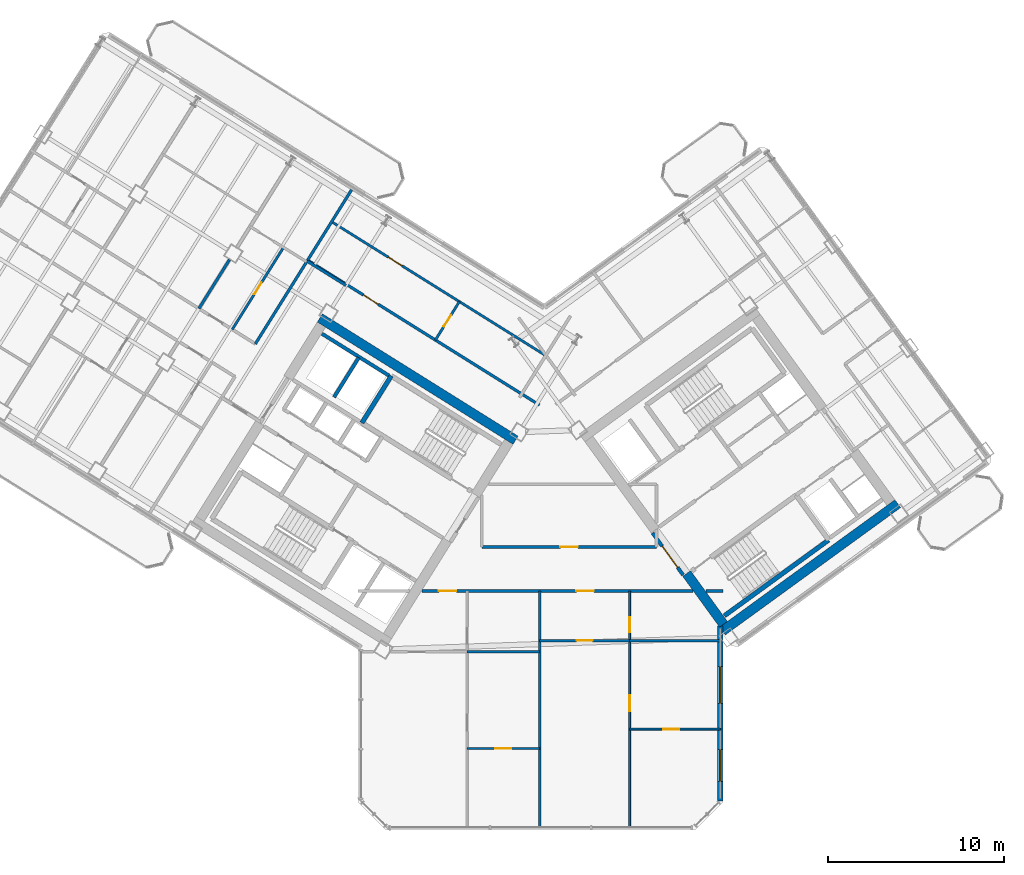
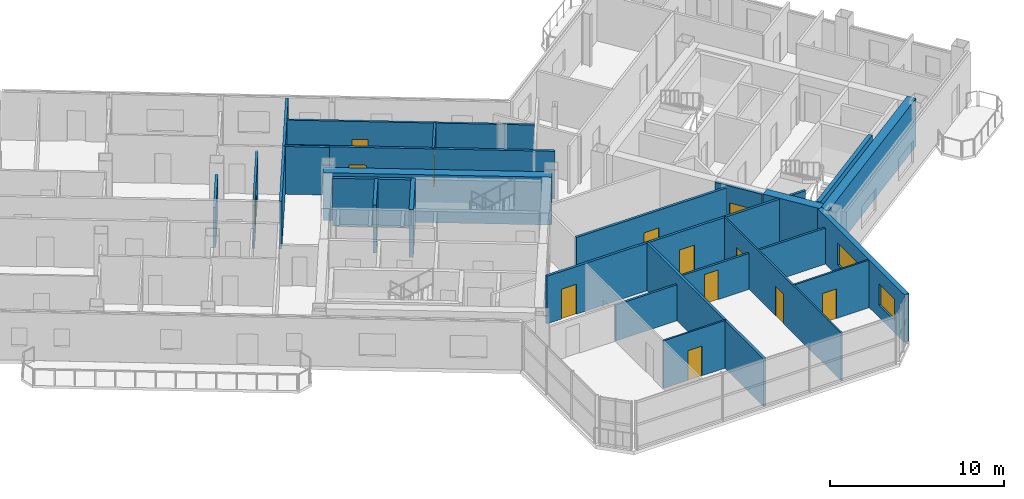
# One storey, part 13 of 21: 26 walls, 13 doors, 2 windows, 15 openings.
"""IFC4 building model written with IfcOpenShell, lengths in metres."""

from ifc_helpers import new_model, si_unit, direction, frame, frame_2d, origin, place, context, subcontext, project, spatial, rectangle, extrude, source, transform, mapped, material, layer, layer_set, type_object, element, fill, save


model = new_model("IFC4")

# Units and contexts
model_context = context("Model", 3, precision=1e-05, world=origin(), true_north=direction((0.0, 1.0)))
body_context = subcontext(model_context, "Body", "Model", "MODEL_VIEW")
ifc_project = project(units=[si_unit("LENGTHUNIT", "METRE"), si_unit("AREAUNIT", "SQUARE_METRE"), si_unit("VOLUMEUNIT", "CUBIC_METRE"), si_unit("PLANEANGLEUNIT", "RADIAN"), si_unit("MASSUNIT", "GRAM", prefix="KILO")], contexts=[model_context])

# Site, building, storey
site_placement = place(None, origin())
site = spatial("IfcSite", under=ifc_project, at=site_placement, CompositionType="ELEMENT")
building_placement = place(site_placement, origin())
building = spatial("IfcBuilding", under=site, at=building_placement, Name="Tlacorven Tower", CompositionType="ELEMENT")
storey_placement = place(building_placement, frame((0.0, 0.0, 184.199951171875)))
storey = spatial("IfcBuildingStorey", under=building, at=storey_placement, Name="L46", CompositionType="ELEMENT", Elevation=184.199951171875)

# Walls
ifc_material_1 = material(Name="Concrete C60/75", Category="concrete")
ifc_layer_1 = layer(ifc_material_1, 0.550048828125)
ifc_layer_set_1 = layer_set([ifc_layer_1], Name="Concrete C60/75")
wall_type_1 = type_object("IfcWallType", Name="WL-COR-550", PredefinedType="SHEAR", material=ifc_layer_set_1)
wall_1_placement = place(storey_placement, frame((40.572998046875, 24.010009765625, 0.0), z_axis=(0.0, 0.0, 1.0), x_axis=(-0.848047359947, 0.529920442413, 0.0)))
element("IfcWall", 1, at=wall_1_placement, inside=storey, type_object=wall_type_1, Name="L46 W core shear wall S1", PredefinedType="SHEAR", context=body_context, shape_type="SweptSolid", body=[
    extrude(rectangle(XDim=13.139892578125, YDim=0.550048828125, at=frame_2d((6.56982421875, 0.0))), origin(), (0.0, 0.0, 1.0), 3.35009765625),
])
wall_2_placement = place(storey_placement, frame((52.35888671875, 13.1396484375, 0.0), z_axis=(0.0, 0.0, 1.0), x_axis=(0.809014896919, 0.587788139183, 0.0)))
element("IfcWall", 2, at=wall_2_placement, inside=storey, type_object=wall_type_1, Name="L46 E core shear wall S1", PredefinedType="SHEAR", context=body_context, shape_type="SweptSolid", body=[
    extrude(rectangle(XDim=12.340087890625, YDim=0.550048828125, at=frame_2d((6.169921875, 0.0))), origin(), (0.0, 0.0, 1.0), 3.35009765625),
])
wall_3_placement = place(storey_placement, frame((52.419677734375, 13.52392578125, 0.0), z_axis=(0.0, 0.0, 1.0), x_axis=(-0.587802113096, 0.809004744015, 0.0)))
element("IfcWall", 3, at=wall_3_placement, inside=storey, type_object=wall_type_1, Name="L46 E core end wall E1.1", PredefinedType="SHEAR", context=body_context, shape_type="SweptSolid", body=[
    extrude(rectangle(XDim=3.574951171875, YDim=0.550048828125, at=frame_2d((1.78759765625, 0.0))), origin(), (0.0, 0.0, 1.0), 3.35009765625),
])
ifc_material_2 = material(Name="Gypsum plasterboard acoustic partition", Category="gypsum")
ifc_layer_2 = layer(ifc_material_2, 0.159912109375)
ifc_layer_set_2 = layer_set([ifc_layer_2], Name="Gypsum plasterboard acoustic partition")
wall_type_2 = type_object("IfcWallType", Name="WL-DEM-160", PredefinedType="PARTITIONING", material=ifc_layer_set_2)
wall_4_placement = place(storey_placement, frame((30.91357421875, 32.82861328125, 0.0), z_axis=(0.0, 0.0, 1.0), x_axis=(-0.848008813643, 0.529982124211, 0.0)))
element("IfcWall", 4, at=wall_4_placement, inside=storey, type_object=wall_type_2, Name="L46 partition 43", PredefinedType="PARTITIONING", context=body_context, shape_type="SweptSolid", body=[
    extrude(rectangle(XDim=2.610107421875, YDim=0.159912109375, at=frame_2d((1.30517578125, 0.0))), origin(), (0.0, 0.0, 1.0), 3.340087890625),
])
wall_5_placement = place(storey_placement, frame((31.238525390625, 38.27392578125, 0.0), z_axis=(0.0, 0.0, 1.0), x_axis=(-0.529914125013, -0.848051307476, 0.0)))
element("IfcWall", 5, at=wall_5_placement, inside=storey, type_object=wall_type_2, Name="L46 partition 45", PredefinedType="PARTITIONING", context=body_context, shape_type="SweptSolid", body=[
    extrude(rectangle(XDim=10.35009765625, YDim=0.159912109375, at=frame_2d((5.175048828125, 0.0))), origin(), (0.0, 0.0, 1.0), 3.340087890625),
])
wall_6_placement = place(storey_placement, frame((24.2822265625, 34.29345703125, 0.0), z_axis=(0.0, 0.0, 1.0), x_axis=(-0.529938869374, -0.84803584519, 0.0)))
element("IfcWall", 6, at=wall_6_placement, inside=storey, type_object=wall_type_2, Name="L46 WS Demising Wall 1", PredefinedType="PARTITIONING", context=body_context, shape_type="SweptSolid", body=[
    extrude(rectangle(XDim=3.2880859375, YDim=0.159912109375, at=frame_2d((1.64404296875, 0.0))), origin(), (0.0, 0.0, 1.0), 2.824951171875),
])

# Wall, opening, door
wall_7_placement = place(storey_placement, frame((41.93603515625, 26.011962890625, 0.0), z_axis=(0.0, 0.0, 1.0), x_axis=(-0.848051154596, 0.529914369676, 0.0)))
wall_7 = element("IfcWall", 7, at=wall_7_placement, inside=storey, type_object=wall_type_2, Name="L46 partition 66", PredefinedType="PARTITIONING", context=body_context, shape_type="SweptSolid", body=[
    extrude(rectangle(XDim=15.56982421875, YDim=0.159912109375, at=frame_2d((7.784912109375, 0.0))), origin(), (0.0, 0.0, 1.0), 3.340087890625),
])
opening_1_placement = place(wall_7_placement, frame((10.830078125, 0.0, 0.0)))
opening_1 = element("IfcOpeningElement", 8, at=opening_1_placement, cuts=wall_7, Name="Opening D11", PredefinedType="OPENING", context=body_context, shape_type="SweptSolid", body=[
    extrude(rectangle(XDim=1.0, YDim=2.10009765625, at=frame_2d((0.5, 1.050048828125))), frame((0.0, 0.08984375, 0.0), z_axis=(0.0, -1.0, 0.0), x_axis=(1.0, 0.0, 0.0)), (0.0, 0.0, 1.0), 0.179931640625),
])
ifc_material_3 = material(Name="Fire-rated steel door assembly", Category="steel")
door_type_1 = type_object("IfcDoorType", Name="DR-FLT-FD60-1000", OperationType="NOTDEFINED", PredefinedType="DOOR", material=ifc_material_3)
shared_shape_1 = source(origin(), body_context, "Body", "SweptSolid", [
    extrude(rectangle(XDim=1.0, YDim=2.10009765625, at=frame_2d((0.5, 1.050048828125))), frame((0.0, 0.02490234375, 0.0), z_axis=(0.0, -1.0, 0.0), x_axis=(1.0, 0.0, 0.0)), (0.0, 0.0, 1.0), 0.050048828125),
])
door_1_placement = place(opening_1_placement, origin())
door_1 = element("IfcDoor", 9, at=door_1_placement, inside=storey, type_object=door_type_1, Name="L46 door 040", OperationType="SINGLE_SWING_LEFT", OverallHeight=2.10009765625, OverallWidth=1.0, PredefinedType="DOOR", context=body_context, shape_type="MappedRepresentation", body=[
    mapped(shared_shape_1, transform((0.0, 0.0, 0.0), scale=1.0)),
])
fill(opening_1, door_1)

# Wall, openings, doors
wall_8_placement = place(storey_placement, frame((35.2373046875, 15.419921875, 0.0), z_axis=(0.0, 0.0, 1.0), x_axis=(1.0, 0.0, 0.0)))
wall_8 = element("IfcWall", 10, at=wall_8_placement, inside=storey, type_object=wall_type_2, Name="L46 Knuckle Corridor South Wall", PredefinedType="PARTITIONING", context=body_context, shape_type="SweptSolid", body=[
    extrude(rectangle(XDim=15.431640625, YDim=0.159912109375, at=frame_2d((7.7158203125, 0.0))), origin(), (0.0, 0.0, 1.0), 3.340087890625),
])
opening_2_placement = place(wall_8_placement, frame((0.968994140625, 0.0, 0.0)))
opening_2 = element("IfcOpeningElement", 11, at=opening_2_placement, cuts=wall_8, Name="Opening D11", PredefinedType="OPENING", context=body_context, shape_type="SweptSolid", body=[
    extrude(rectangle(XDim=1.0, YDim=2.10009765625, at=frame_2d((0.5, 1.050048828125))), frame((0.0, 0.08984375, 0.0), z_axis=(0.0, -1.0, 0.0), x_axis=(1.0, 0.0, 0.0)), (0.0, 0.0, 1.0), 0.179931640625),
])
opening_3_placement = place(wall_8_placement, frame((8.798583984375, 0.0, 0.0)))
opening_3 = element("IfcOpeningElement", 12, at=opening_3_placement, cuts=wall_8, Name="Opening D11", PredefinedType="OPENING", context=body_context, shape_type="SweptSolid", body=[
    extrude(rectangle(XDim=1.0, YDim=2.10009765625, at=frame_2d((0.5, 1.050048828125))), frame((0.0, 0.08984375, 0.0), z_axis=(0.0, -1.0, 0.0), x_axis=(1.0, 0.0, 0.0)), (0.0, 0.0, 1.0), 0.179931640625),
])
door_2_placement = place(opening_2_placement, frame((1.0, 0.0, 0.0), z_axis=(0.0, 0.0, 1.0), x_axis=(-1.0, 0.0, 0.0)))
door_2 = element("IfcDoor", 13, at=door_2_placement, inside=storey, type_object=door_type_1, Name="L46 door 048", OperationType="SINGLE_SWING_LEFT", OverallHeight=2.10009765625, OverallWidth=1.0, PredefinedType="DOOR", context=body_context, shape_type="MappedRepresentation", body=[
    mapped(shared_shape_1, transform((0.0, 0.0, 0.0), scale=1.0)),
])
fill(opening_2, door_2)
door_3_placement = place(opening_3_placement, frame((1.0, 0.0, 0.0), z_axis=(0.0, 0.0, 1.0), x_axis=(-1.0, 0.0, 0.0)))
door_3 = element("IfcDoor", 14, at=door_3_placement, inside=storey, type_object=door_type_1, Name="L46 door 053", OperationType="SINGLE_SWING_RIGHT", OverallHeight=2.10009765625, OverallWidth=1.0, PredefinedType="DOOR", context=body_context, shape_type="MappedRepresentation", body=[
    mapped(shared_shape_1, transform((0.0, 0.0, 0.0), scale=1.0)),
])
fill(opening_3, door_3)

# Wall
wall_9_placement = place(storey_placement, frame((51.41552734375, 15.419921875, 0.0), z_axis=(0.0, 0.0, 1.0), x_axis=(1.0, 0.0, 0.0)))
element("IfcWall", 15, at=wall_9_placement, inside=storey, type_object=wall_type_2, Name="L46 Knuckle Corridor South Wall", PredefinedType="PARTITIONING", context=body_context, shape_type="SweptSolid", body=[
    extrude(rectangle(XDim=0.984375, YDim=0.159912109375, at=frame_2d((0.4921875, 0.0))), origin(), (0.0, 0.0, 1.0), 3.340087890625),
])

# Wall, opening, door
wall_10_placement = place(storey_placement, frame((38.64990234375, 17.929931640625, 0.0), z_axis=(0.0, 0.0, 1.0), x_axis=(1.0, 0.0, 0.0)))
wall_10 = element("IfcWall", 16, at=wall_10_placement, inside=storey, type_object=wall_type_2, Name="L46 partition 72", PredefinedType="PARTITIONING", context=body_context, shape_type="SweptSolid", body=[
    extrude(rectangle(XDim=9.9501953125, YDim=0.159912109375, at=frame_2d((4.97509765625, 0.0))), origin(), (0.0, 0.0, 1.0), 3.340087890625),
])
opening_4_placement = place(wall_10_placement, frame((4.47509765625, 0.0, 0.0)))
opening_4 = element("IfcOpeningElement", 17, at=opening_4_placement, cuts=wall_10, Name="Opening D11", PredefinedType="OPENING", context=body_context, shape_type="SweptSolid", body=[
    extrude(rectangle(XDim=1.0, YDim=2.10009765625, at=frame_2d((0.5, 1.050048828125))), frame((0.0, 0.08984375, 0.0), z_axis=(0.0, -1.0, 0.0), x_axis=(1.0, 0.0, 0.0)), (0.0, 0.0, 1.0), 0.179931640625),
])
door_4_placement = place(opening_4_placement, origin())
door_4 = element("IfcDoor", 18, at=door_4_placement, inside=storey, type_object=door_type_1, Name="L46 door 043", OperationType="SINGLE_SWING_RIGHT", OverallHeight=2.10009765625, OverallWidth=1.0, PredefinedType="DOOR", context=body_context, shape_type="MappedRepresentation", body=[
    mapped(shared_shape_1, transform((0.0, 0.0, 0.0), scale=1.0)),
])
fill(opening_4, door_4)

# Wall
wall_11_placement = place(storey_placement, frame((41.949951171875, 1.9599609375, 0.0), z_axis=(0.0, 0.0, 1.0), x_axis=(0.0, 1.0, 0.0)))
element("IfcWall", 19, at=wall_11_placement, inside=storey, type_object=wall_type_2, Name="L46 Knuckle Demising Wall 1", PredefinedType="PARTITIONING", context=body_context, shape_type="SweptSolid", body=[
    extrude(rectangle(XDim=13.4599609375, YDim=0.159912109375, at=frame_2d((6.72998046875, 0.0))), origin(), (0.0, 0.0, 1.0), 3.340087890625),
])

# Wall, openings, windows
ifc_material_4 = material(Name="Precast concrete C45/55", Category="concrete")
ifc_layer_3 = layer(ifc_material_4, 0.320068359375)
ifc_layer_set_3 = layer_set([ifc_layer_3], Name="Precast concrete C45/55")
wall_type_3 = type_object("IfcWallType", Name="WL-EXT-320", PredefinedType="STANDARD", material=ifc_layer_set_3)
wall_12_placement = place(storey_placement, frame((52.239990234375, 13.4140625, 0.0), z_axis=(0.0, 0.0, 1.0), x_axis=(0.0, -1.0, 0.0)))
wall_12 = element("IfcWall", 20, at=wall_12_placement, inside=storey, type_object=wall_type_3, Name="L46 Masonry-Frame Recessed Facade Wall 7", PredefinedType="STANDARD", context=body_context, shape_type="SweptSolid", body=[
    extrude(rectangle(XDim=9.94775390625, YDim=0.320068359375, at=frame_2d((4.973876953125, 0.0))), origin(), (0.0, 0.0, 1.0), 3.35009765625),
])
opening_5_placement = place(wall_12_placement, frame((2.29638671875, 0.0, 0.800048828125)))
opening_5 = element("IfcOpeningElement", 21, at=opening_5_placement, cuts=wall_12, Name="Opening WN04", PredefinedType="OPENING", context=body_context, shape_type="SweptSolid", body=[
    extrude(rectangle(XDim=2.10009765625, YDim=1.550048828125, at=frame_2d((1.050048828125, 0.77490234375))), frame((0.0, 0.169921875, 0.0), z_axis=(0.0, -1.0, 0.0), x_axis=(1.0, 0.0, 0.0)), (0.0, 0.0, 1.0), 0.340087890625),
])
opening_6_placement = place(wall_12_placement, frame((7.033447265625, 0.0, 0.85009765625)))
opening_6 = element("IfcOpeningElement", 22, at=opening_6_placement, cuts=wall_12, Name="Opening WN01", PredefinedType="OPENING", context=body_context, shape_type="SweptSolid", body=[
    extrude(rectangle(XDim=1.800048828125, YDim=1.5, at=frame_2d((0.89990234375, 0.75))), frame((0.0, 0.169921875, 0.0), z_axis=(0.0, -1.0, 0.0), x_axis=(1.0, 0.0, 0.0)), (0.0, 0.0, 1.0), 0.340087890625),
])
ifc_material_5 = material(Name="Dark solar low-E double glazing in anodised aluminium frame", Category="aluminium")
window_type_1 = type_object("IfcWindowType", Name="WN-APT-2100X1750", PartitioningType="SINGLE_PANEL", PredefinedType="WINDOW", material=ifc_material_5)
shared_shape_2 = source(origin(), body_context, "Body", "SweptSolid", [
    extrude(rectangle(XDim=2.10009765625, YDim=1.550048828125, at=frame_2d((1.050048828125, 0.77490234375))), frame((0.0, 0.030029296875, 0.0), z_axis=(0.0, -1.0, 0.0), x_axis=(1.0, 0.0, 0.0)), (0.0, 0.0, 1.0), 0.06005859375),
])
window_1_placement = place(opening_5_placement, origin())
window_1 = element("IfcWindow", 23, at=window_1_placement, inside=storey, type_object=window_type_1, Name="L46 Recessed Masonry-Frame Window L46-07.1", OverallHeight=1.550048828125, OverallWidth=2.10009765625, PartitioningType="SINGLE_PANEL", PredefinedType="WINDOW", context=body_context, shape_type="MappedRepresentation", body=[
    mapped(shared_shape_2, transform((0.0, 0.0, 0.0), scale=1.0)),
])
fill(opening_5, window_1)
window_type_2 = type_object("IfcWindowType", Name="WN-APT-1800X1650", PartitioningType="SINGLE_PANEL", PredefinedType="WINDOW", material=ifc_material_5)
shared_shape_3 = source(origin(), body_context, "Body", "SweptSolid", [
    extrude(rectangle(XDim=1.800048828125, YDim=1.5, at=frame_2d((0.89990234375, 0.75))), frame((0.0, 0.030029296875, 0.0), z_axis=(0.0, -1.0, 0.0), x_axis=(1.0, 0.0, 0.0)), (0.0, 0.0, 1.0), 0.06005859375),
])
window_2_placement = place(opening_6_placement, origin())
window_2 = element("IfcWindow", 24, at=window_2_placement, inside=storey, type_object=window_type_2, Name="L46 Recessed Masonry-Frame Window L46-07.2", OverallHeight=1.5, OverallWidth=1.800048828125, PartitioningType="SINGLE_PANEL", PredefinedType="WINDOW", context=body_context, shape_type="MappedRepresentation", body=[
    mapped(shared_shape_3, transform((0.0, 0.0, 0.0), scale=1.0)),
])
fill(opening_6, window_2)

# Wall, opening, door
ifc_material_6 = material(Name="Gypsum plasterboard partition", Category="gypsum")
ifc_layer_4 = layer(ifc_material_6, 0.110107421875)
ifc_layer_set_4 = layer_set([ifc_layer_4], Name="Gypsum plasterboard partition")
wall_type_4 = type_object("IfcWallType", Name="WL-INT-110", PredefinedType="PARTITIONING", material=ifc_layer_set_4)
wall_13_placement = place(storey_placement, frame((37.81298828125, 6.449951171875, 0.0), z_axis=(0.0, 0.0, 1.0), x_axis=(1.0, 0.0, 0.0)))
wall_13 = element("IfcWall", 25, at=wall_13_placement, inside=storey, type_object=wall_type_4, Name="L46 partition 81", PredefinedType="PARTITIONING", context=body_context, shape_type="SweptSolid", body=[
    extrude(rectangle(XDim=4.136962890625, YDim=0.110107421875, at=frame_2d((2.068359375, 0.0))), origin(), (0.0, 0.0, 1.0), 3.340087890625),
])
opening_7_placement = place(wall_13_placement, frame((1.6083984375, 0.0, 0.0)))
opening_7 = element("IfcOpeningElement", 26, at=opening_7_placement, cuts=wall_13, Name="Opening D12", PredefinedType="OPENING", context=body_context, shape_type="SweptSolid", body=[
    extrude(rectangle(XDim=0.919921875, YDim=2.080078125, at=frame_2d((0.4599609375, 1.0400390625))), frame((0.0, 0.06494140625, 0.0), z_axis=(0.0, -1.0, 0.0), x_axis=(1.0, 0.0, 0.0)), (0.0, 0.0, 1.0), 0.130126953125),
])
ifc_material_7 = material(Name="Powder-coated aluminium and timber door", Category="wood")
door_type_2 = type_object("IfcDoorType", Name="DR-INT-ROOM-0920", OperationType="NOTDEFINED", PredefinedType="DOOR", material=ifc_material_7)
shared_shape_4 = source(origin(), body_context, "Body", "SweptSolid", [
    extrude(rectangle(XDim=0.919921875, YDim=2.080078125, at=frame_2d((0.4599609375, 1.0400390625))), frame((0.0, 0.02490234375, 0.0), z_axis=(0.0, -1.0, 0.0), x_axis=(1.0, 0.0, 0.0)), (0.0, 0.0, 1.0), 0.050048828125),
])
door_5_placement = place(opening_7_placement, origin())
door_5 = element("IfcDoor", 27, at=door_5_placement, inside=storey, type_object=door_type_2, Name="L46 door 047", OperationType="SINGLE_SWING_RIGHT", OverallHeight=2.080078125, OverallWidth=0.919921875, PredefinedType="DOOR", context=body_context, shape_type="MappedRepresentation", body=[
    mapped(shared_shape_4, transform((0.0, 0.0, 0.0), scale=1.0)),
])
fill(opening_7, door_5)

# Wall, openings, doors
wall_14_placement = place(storey_placement, frame((47.072021484375, 1.9599609375, 0.0), z_axis=(0.0, 0.0, 1.0), x_axis=(0.0, 1.0, 0.0)))
wall_14 = element("IfcWall", 28, at=wall_14_placement, inside=storey, type_object=wall_type_4, Name="L46 partition 82", PredefinedType="PARTITIONING", context=body_context, shape_type="SweptSolid", body=[
    extrude(rectangle(XDim=13.4599609375, YDim=0.110107421875, at=frame_2d((6.72998046875, 0.0))), origin(), (0.0, 0.0, 1.0), 3.340087890625),
])
opening_8_placement = place(wall_14_placement, frame((6.60009765625, 0.0, 0.0)))
opening_8 = element("IfcOpeningElement", 29, at=opening_8_placement, cuts=wall_14, Name="Opening D12", PredefinedType="OPENING", context=body_context, shape_type="SweptSolid", body=[
    extrude(rectangle(XDim=0.919921875, YDim=2.080078125, at=frame_2d((0.4599609375, 1.0400390625))), frame((0.0, 0.06494140625, 0.0), z_axis=(0.0, -1.0, 0.0), x_axis=(1.0, 0.0, 0.0)), (0.0, 0.0, 1.0), 0.130126953125),
])
opening_9_placement = place(wall_14_placement, frame((11.10009765625, 0.0, 0.0)))
opening_9 = element("IfcOpeningElement", 30, at=opening_9_placement, cuts=wall_14, Name="Opening D13", PredefinedType="OPENING", context=body_context, shape_type="SweptSolid", body=[
    extrude(rectangle(XDim=0.8798828125, YDim=2.080078125, at=frame_2d((0.43994140625, 1.0400390625))), frame((0.0, 0.06494140625, 0.0), z_axis=(0.0, -1.0, 0.0), x_axis=(1.0, 0.0, 0.0)), (0.0, 0.0, 1.0), 0.130126953125),
])
door_type_3 = type_object("IfcDoorType", Name="DR-INT-WET-0880", OperationType="NOTDEFINED", PredefinedType="DOOR", material=ifc_material_7)
shared_shape_5 = source(origin(), body_context, "Body", "SweptSolid", [
    extrude(rectangle(XDim=0.8798828125, YDim=2.080078125, at=frame_2d((0.43994140625, 1.0400390625))), frame((0.0, 0.02490234375, 0.0), z_axis=(0.0, -1.0, 0.0), x_axis=(1.0, 0.0, 0.0)), (0.0, 0.0, 1.0), 0.050048828125),
])
door_6_placement = place(opening_9_placement, origin())
door_6 = element("IfcDoor", 31, at=door_6_placement, inside=storey, type_object=door_type_3, Name="L46 door 055", OperationType="SINGLE_SWING_RIGHT", OverallHeight=2.080078125, OverallWidth=0.8798828125, PredefinedType="DOOR", context=body_context, shape_type="MappedRepresentation", body=[
    mapped(shared_shape_5, transform((0.0, 0.0, 0.0), scale=1.0)),
])
fill(opening_9, door_6)
door_7_placement = place(opening_8_placement, origin())
door_7 = element("IfcDoor", 32, at=door_7_placement, inside=storey, type_object=door_type_2, Name="L46 door 051", OperationType="SINGLE_SWING_RIGHT", OverallHeight=2.080078125, OverallWidth=0.919921875, PredefinedType="DOOR", context=body_context, shape_type="MappedRepresentation", body=[
    mapped(shared_shape_4, transform((0.0, 0.0, 0.0), scale=1.0)),
])
fill(opening_8, door_7)

# Wall, opening, door
wall_15_placement = place(storey_placement, frame((47.072021484375, 7.550048828125, 0.0), z_axis=(0.0, 0.0, 1.0), x_axis=(1.0, 0.0, 0.0)))
wall_15 = element("IfcWall", 33, at=wall_15_placement, inside=storey, type_object=wall_type_4, Name="L46 partition 85", PredefinedType="PARTITIONING", context=body_context, shape_type="SweptSolid", body=[
    extrude(rectangle(XDim=5.18798828125, YDim=0.110107421875, at=frame_2d((2.593994140625, 0.0))), origin(), (0.0, 0.0, 1.0), 3.340087890625),
])
opening_10_placement = place(wall_15_placement, frame((1.904052734375, 0.0, 0.0)))
opening_10 = element("IfcOpeningElement", 34, at=opening_10_placement, cuts=wall_15, Name="Opening D12", PredefinedType="OPENING", context=body_context, shape_type="SweptSolid", body=[
    extrude(rectangle(XDim=0.919921875, YDim=2.080078125, at=frame_2d((0.4599609375, 1.0400390625))), frame((0.0, 0.06494140625, 0.0), z_axis=(0.0, -1.0, 0.0), x_axis=(1.0, 0.0, 0.0)), (0.0, 0.0, 1.0), 0.130126953125),
])
door_8_placement = place(opening_10_placement, origin())
door_8 = element("IfcDoor", 35, at=door_8_placement, inside=storey, type_object=door_type_2, Name="L46 door 052", OperationType="SINGLE_SWING_LEFT", OverallHeight=2.080078125, OverallWidth=0.919921875, PredefinedType="DOOR", context=body_context, shape_type="MappedRepresentation", body=[
    mapped(shared_shape_4, transform((0.0, 0.0, 0.0), scale=1.0)),
])
fill(opening_10, door_8)

ifc_material_8 = material(Name="Moisture-resistant gypsum plumbing wall", Category="gypsum")
ifc_layer_5 = layer(ifc_material_8, 0.139892578125)
ifc_layer_set_5 = layer_set([ifc_layer_5], Name="Moisture-resistant gypsum plumbing wall")
wall_type_5 = type_object("IfcWallType", Name="WL-PLM-140", PredefinedType="PLUMBINGWALL", material=ifc_layer_set_5)
wall_16_placement = place(storey_placement, frame((27.359130859375, 34.99072265625, 0.0), z_axis=(0.0, 0.0, 1.0), x_axis=(-0.529907329021, -0.848055553988, 0.0)))
wall_16 = element("IfcWall", 36, at=wall_16_placement, inside=storey, type_object=wall_type_5, Name="L46 partition 60", PredefinedType="PLUMBINGWALL", context=body_context, shape_type="SweptSolid", body=[
    extrude(rectangle(XDim=5.509765625, YDim=0.139892578125, at=frame_2d((2.7548828125, 0.0))), origin(), (0.0, 0.0, 1.0), 2.9951171875),
])
opening_11_placement = place(wall_16_placement, frame((2.364990234375, 0.0, 0.0)))
opening_11 = element("IfcOpeningElement", 37, at=opening_11_placement, cuts=wall_16, Name="Opening D22", PredefinedType="OPENING", context=body_context, shape_type="SweptSolid", body=[
    extrude(rectangle(XDim=0.780029296875, YDim=2.050048828125, at=frame_2d((0.39013671875, 1.02490234375))), frame((0.0, 0.080078125, 0.0), z_axis=(0.0, -1.0, 0.0), x_axis=(1.0, 0.0, 0.0)), (0.0, 0.0, 1.0), 0.159912109375),
])
door_type_4 = type_object("IfcDoorType", Name="DR-INT-WET-0780", OperationType="NOTDEFINED", PredefinedType="DOOR", material=ifc_material_7)
shared_shape_6 = source(origin(), body_context, "Body", "SweptSolid", [
    extrude(rectangle(XDim=0.780029296875, YDim=2.050048828125, at=frame_2d((0.39013671875, 1.02490234375))), frame((0.0, 0.02490234375, 0.0), z_axis=(0.0, -1.0, 0.0), x_axis=(1.0, 0.0, 0.0)), (0.0, 0.0, 1.0), 0.050048828125),
])
door_9_placement = place(opening_11_placement, origin())
door_9 = element("IfcDoor", 38, at=door_9_placement, inside=storey, type_object=door_type_4, Name="L46 door 033", OperationType="SINGLE_SWING_RIGHT", OverallHeight=2.050048828125, OverallWidth=0.780029296875, PredefinedType="DOOR", context=body_context, shape_type="MappedRepresentation", body=[
    mapped(shared_shape_6, transform((0.0, 0.0, 0.0), scale=1.0)),
])
fill(opening_11, door_9)

wall_17_placement = place(storey_placement, frame((42.226318359375, 28.872802734375, 0.0), z_axis=(0.0, 0.0, 1.0), x_axis=(-0.848049134363, 0.529917602752, 0.0)))
wall_17 = element("IfcWall", 39, at=wall_17_placement, inside=storey, type_object=wall_type_5, Name="L46 partition 68", PredefinedType="PLUMBINGWALL", context=body_context, shape_type="SweptSolid", body=[
    extrude(rectangle(XDim=14.300048828125, YDim=0.139892578125, at=frame_2d((7.14990234375, 0.0))), origin(), (0.0, 0.0, 1.0), 3.340087890625),
])
opening_12_placement = place(wall_17_placement, frame((9.570068359375, 0.0, 0.0)))
opening_12 = element("IfcOpeningElement", 40, at=opening_12_placement, cuts=wall_17, Name="Opening D12", PredefinedType="OPENING", context=body_context, shape_type="SweptSolid", body=[
    extrude(rectangle(XDim=0.919921875, YDim=2.080078125, at=frame_2d((0.4599609375, 1.0400390625))), frame((0.0, 0.080078125, 0.0), z_axis=(0.0, -1.0, 0.0), x_axis=(1.0, 0.0, 0.0)), (0.0, 0.0, 1.0), 0.159912109375),
])
door_10_placement = place(opening_12_placement, origin())
door_10 = element("IfcDoor", 41, at=door_10_placement, inside=storey, type_object=door_type_2, Name="L46 door 041", OperationType="SINGLE_SWING_RIGHT", OverallHeight=2.080078125, OverallWidth=0.919921875, PredefinedType="DOOR", context=body_context, shape_type="MappedRepresentation", body=[
    mapped(shared_shape_4, transform((0.0, 0.0, 0.0), scale=1.0)),
])
fill(opening_12, door_10)

wall_18_placement = place(storey_placement, frame((37.37548828125, 31.904052734375, 0.0), z_axis=(0.0, 0.0, 1.0), x_axis=(-0.529913878929, -0.848051461244, 0.0)))
wall_18 = element("IfcWall", 42, at=wall_18_placement, inside=storey, type_object=wall_type_5, Name="L46 partition 69", PredefinedType="PLUMBINGWALL", context=body_context, shape_type="SweptSolid", body=[
    extrude(rectangle(XDim=2.580078125, YDim=0.139892578125, at=frame_2d((1.2900390625, 0.0))), origin(), (0.0, 0.0, 1.0), 3.340087890625),
])
opening_13_placement = place(wall_18_placement, frame((0.89990234375, 0.0, 0.0)))
opening_13 = element("IfcOpeningElement", 43, at=opening_13_placement, cuts=wall_18, Name="Opening D22", PredefinedType="OPENING", context=body_context, shape_type="SweptSolid", body=[
    extrude(rectangle(XDim=0.780029296875, YDim=2.050048828125, at=frame_2d((0.39013671875, 1.02490234375))), frame((0.0, 0.080078125, 0.0), z_axis=(0.0, -1.0, 0.0), x_axis=(1.0, 0.0, 0.0)), (0.0, 0.0, 1.0), 0.159912109375),
])
door_11_placement = place(opening_13_placement, origin())
door_11 = element("IfcDoor", 44, at=door_11_placement, inside=storey, type_object=door_type_4, Name="L46 door 042", OperationType="SINGLE_SWING_LEFT", OverallHeight=2.050048828125, OverallWidth=0.780029296875, PredefinedType="DOOR", context=body_context, shape_type="MappedRepresentation", body=[
    mapped(shared_shape_6, transform((0.0, 0.0, 0.0), scale=1.0)),
])
fill(opening_13, door_11)

# Wall
wall_19_placement = place(storey_placement, frame((37.81298828125, 11.949951171875, 0.0), z_axis=(0.0, 0.0, 1.0), x_axis=(1.0, 0.0, 0.0)))
element("IfcWall", 45, at=wall_19_placement, inside=storey, type_object=wall_type_5, Name="L46 partition 80", PredefinedType="PLUMBINGWALL", context=body_context, shape_type="SweptSolid", body=[
    extrude(rectangle(XDim=4.136962890625, YDim=0.139892578125, at=frame_2d((2.068359375, 0.0))), origin(), (0.0, 0.0, 1.0), 2.525146484375),
])

# Wall, opening, door
wall_20_placement = place(storey_placement, frame((41.949951171875, 12.60009765625, 0.0), z_axis=(0.0, 0.0, 1.0), x_axis=(1.0, 0.0, 0.0)))
wall_20 = element("IfcWall", 46, at=wall_20_placement, inside=storey, type_object=wall_type_5, Name="L46 partition 83", PredefinedType="PLUMBINGWALL", context=body_context, shape_type="SweptSolid", body=[
    extrude(rectangle(XDim=5.1220703125, YDim=0.139892578125, at=frame_2d((2.56103515625, 0.0))), origin(), (0.0, 0.0, 1.0), 2.525146484375),
])
opening_14_placement = place(wall_20_placement, frame((2.10107421875, 0.0, 0.0)))
opening_14 = element("IfcOpeningElement", 47, at=opening_14_placement, cuts=wall_20, Name="Opening D12", PredefinedType="OPENING", context=body_context, shape_type="SweptSolid", body=[
    extrude(rectangle(XDim=0.919921875, YDim=2.080078125, at=frame_2d((0.4599609375, 1.0400390625))), frame((0.0, 0.080078125, 0.0), z_axis=(0.0, -1.0, 0.0), x_axis=(1.0, 0.0, 0.0)), (0.0, 0.0, 1.0), 0.159912109375),
])
door_12_placement = place(opening_14_placement, frame((0.919921875, 0.0, 0.0), z_axis=(0.0, 0.0, 1.0), x_axis=(-1.0, 0.0, 0.0)))
door_12 = element("IfcDoor", 48, at=door_12_placement, inside=storey, type_object=door_type_2, Name="L46 door 054", OperationType="SINGLE_SWING_LEFT", OverallHeight=2.080078125, OverallWidth=0.919921875, PredefinedType="DOOR", context=body_context, shape_type="MappedRepresentation", body=[
    mapped(shared_shape_4, transform((0.0, 0.0, 0.0), scale=1.0)),
])
fill(opening_14, door_12)

# Walls
wall_21_placement = place(storey_placement, frame((47.072021484375, 12.60009765625, 0.0), z_axis=(0.0, 0.0, 1.0), x_axis=(1.0, 0.0, 0.0)))
element("IfcWall", 49, at=wall_21_placement, inside=storey, type_object=wall_type_5, Name="L46 partition 84", PredefinedType="PLUMBINGWALL", context=body_context, shape_type="SweptSolid", body=[
    extrude(rectangle(XDim=5.18798828125, YDim=0.139892578125, at=frame_2d((2.593994140625, 0.0))), origin(), (0.0, 0.0, 1.0), 2.525146484375),
])
ifc_material_9 = material(Name="Concrete C40/50", Category="concrete")
ifc_layer_6 = layer(ifc_material_9, 0.199951171875)
ifc_layer_set_6 = layer_set([ifc_layer_6], Name="Concrete C40/50")
wall_type_6 = type_object("IfcWallType", Name="WL-SHF-200", PredefinedType="STANDARD", material=ifc_layer_set_6)
wall_22_placement = place(storey_placement, frame((31.645263671875, 28.716064453125, 0.0), z_axis=(0.0, 0.0, 1.0), x_axis=(-0.52986693015, -0.848080795876, 0.0)))
element("IfcWall", 50, at=wall_22_placement, inside=storey, type_object=wall_type_6, Name="L46 partition 15", PredefinedType="STANDARD", context=body_context, shape_type="SweptSolid", body=[
    extrude(rectangle(XDim=2.659912109375, YDim=0.199951171875, at=frame_2d((1.330078125, 0.0))), origin(), (0.0, 0.0, 1.0), 3.340087890625),
])
wall_23_placement = place(storey_placement, frame((33.362548828125, 27.690185546875, 0.0), z_axis=(0.0, 0.0, 1.0), x_axis=(-0.848047090064, 0.529920874315, 0.0)))
element("IfcWall", 51, at=wall_23_placement, inside=storey, type_object=wall_type_6, Name="L46 partition 17", PredefinedType="STANDARD", context=body_context, shape_type="SweptSolid", body=[
    extrude(rectangle(XDim=4.498046875, YDim=0.199951171875, at=frame_2d((2.2490234375, 0.0))), origin(), (0.0, 0.0, 1.0), 3.340087890625),
])

# Wall, opening, door
wall_24_placement = place(storey_placement, frame((50.119140625, 16.3330078125, 0.0), z_axis=(0.0, 0.0, 1.0), x_axis=(-0.587749856981, 0.809042709391, 0.0)))
wall_24 = element("IfcWall", 52, at=wall_24_placement, inside=storey, type_object=wall_type_6, Name="L46 partition 76", PredefinedType="STANDARD", context=body_context, shape_type="SweptSolid", body=[
    extrude(rectangle(XDim=2.9599609375, YDim=0.199951171875, at=frame_2d((1.47998046875, 0.0))), origin(), (0.0, 0.0, 1.0), 3.340087890625),
])
opening_15_placement = place(wall_24_placement, frame((0.530029296875, 0.0, 0.0)))
opening_15 = element("IfcOpeningElement", 53, at=opening_15_placement, cuts=wall_24, Name="Opening D10", PredefinedType="OPENING", context=body_context, shape_type="SweptSolid", body=[
    extrude(rectangle(XDim=1.5, YDim=2.14990234375, at=frame_2d((0.75, 1.074951171875))), frame((0.0, 0.10986328125, 0.0), z_axis=(0.0, -1.0, 0.0), x_axis=(1.0, 0.0, 0.0)), (0.0, 0.0, 1.0), 0.219970703125),
])
door_type_5 = type_object("IfcDoorType", Name="DR-LOB-FD60-1500", OperationType="DOUBLE_DOOR_SINGLE_SWING", PredefinedType="DOOR", material=ifc_material_3)
shared_shape_7 = source(origin(), body_context, "Body", "SweptSolid", [
    extrude(rectangle(XDim=1.5, YDim=2.14990234375, at=frame_2d((0.75, 1.074951171875))), frame((0.0, 0.02490234375, 0.0), z_axis=(0.0, -1.0, 0.0), x_axis=(1.0, 0.0, 0.0)), (0.0, 0.0, 1.0), 0.050048828125),
])
door_13_placement = place(opening_15_placement, frame((1.5, 0.0, 0.0), z_axis=(0.0, 0.0, 1.0), x_axis=(-1.0, 0.0, 0.0)))
door_13 = element("IfcDoor", 54, at=door_13_placement, inside=storey, type_object=door_type_5, Name="L46 door 045", OperationType="DOUBLE_DOOR_SINGLE_SWING", OverallHeight=2.14990234375, OverallWidth=1.5, PredefinedType="DOOR", context=body_context, shape_type="MappedRepresentation", body=[
    mapped(shared_shape_7, transform((0.0, 0.0, 0.0), scale=1.0)),
])
fill(opening_15, door_13)

# Walls
ifc_material_10 = material(Name="Concrete C50/60", Category="concrete")
ifc_layer_7 = layer(ifc_material_10, 0.260009765625)
ifc_layer_set_7 = layer_set([ifc_layer_7], Name="Concrete C50/60")
wall_type_7 = type_object("IfcWallType", Name="WL-STW-260", PredefinedType="SHEAR", material=ifc_layer_set_7)
wall_25_placement = place(storey_placement, frame((33.496337890625, 27.677490234375, 0.0), z_axis=(0.0, 0.0, 1.0), x_axis=(-0.529908658664, -0.84805472316, 0.0)))
element("IfcWall", 55, at=wall_25_placement, inside=storey, type_object=wall_type_7, Name="L46 Stair W2 East Shear Wall", PredefinedType="SHEAR", context=body_context, shape_type="SweptSolid", body=[
    extrude(rectangle(XDim=3.16015625, YDim=0.260009765625, at=frame_2d((1.580078125, 0.0))), origin(), (0.0, 0.0, 1.0), 3.35009765625),
])
wall_26_placement = place(storey_placement, frame((52.47216796875, 14.01318359375, 0.0), z_axis=(0.0, 0.0, 1.0), x_axis=(0.809028366311, 0.587769599847, 0.0)))
element("IfcWall", 56, at=wall_26_placement, inside=storey, type_object=wall_type_7, Name="L46 Stair E2 Far Shear Wall", PredefinedType="SHEAR", context=body_context, shape_type="SweptSolid", body=[
    extrude(rectangle(XDim=7.330078125, YDim=0.260009765625, at=frame_2d((3.6650390625, 0.0))), origin(), (0.0, 0.0, 1.0), 3.35009765625),
])

save(model, "model.ifc")
